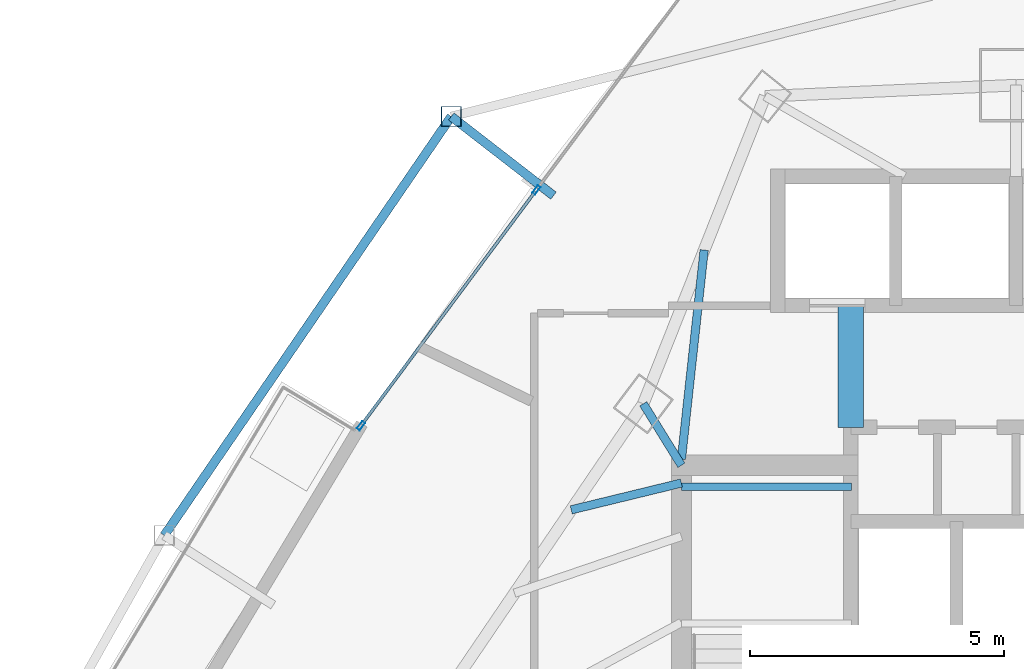
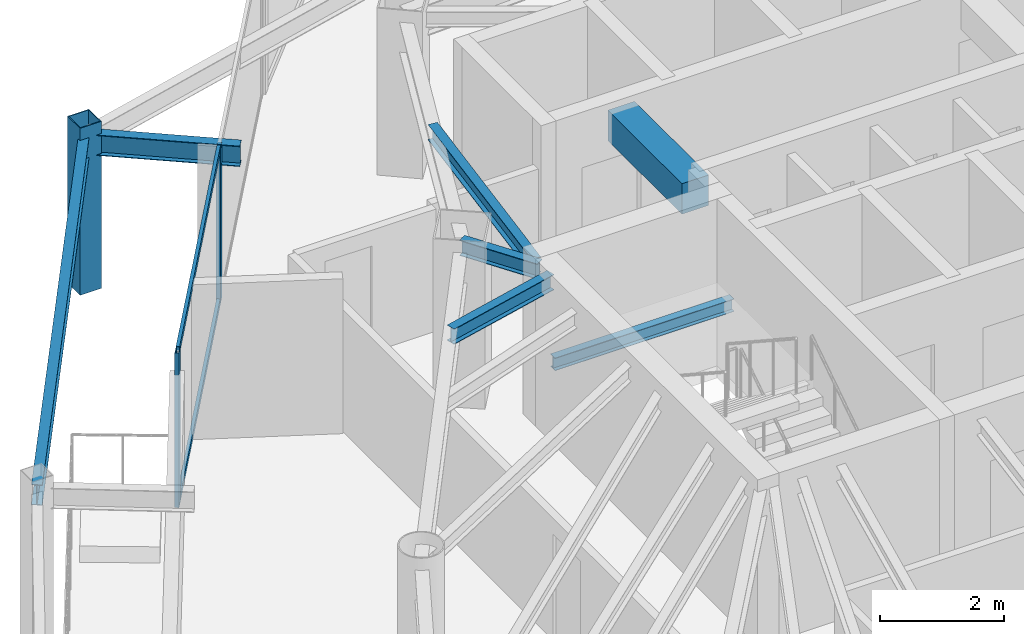
# One storey, part 17 of 31: 7 beams, 5 members, 1 element without a shape of its own.
"""IFC4 building model written with IfcOpenShell, lengths in metres."""

from ifc_helpers import new_model, si_unit, direction, frame, origin, origin_2d, place, context, subcontext, project, spatial, rectangle, hollow_rectangle, i_section, extrude, material, layer, layer_set, material_profile, profile_set, type_object, element, aggregate, save


model = new_model("IFC4")

# Units and contexts
model_context = context("Model", 3, precision=1e-05, world=origin(), true_north=direction((0.0, 1.0)))
body_context = subcontext(model_context, "Body", "Model", "MODEL_VIEW")
ifc_project = project(units=[si_unit("LENGTHUNIT", "METRE"), si_unit("AREAUNIT", "SQUARE_METRE"), si_unit("VOLUMEUNIT", "CUBIC_METRE"), si_unit("PLANEANGLEUNIT", "RADIAN"), si_unit("MASSUNIT", "GRAM", prefix="KILO")], contexts=[model_context])

# Site, building, storey
site_placement = place(None, origin())
site = spatial("IfcSite", under=ifc_project, at=site_placement, CompositionType="ELEMENT")
building_placement = place(site_placement, origin())
building = spatial("IfcBuilding", under=site, at=building_placement, Name="Orvanel Arch Residences", CompositionType="ELEMENT")
storey_placement = place(building_placement, frame((0.0, 0.0, 106.699951171875)))
storey = spatial("IfcBuildingStorey", under=building, at=storey_placement, Name="L29", CompositionType="ELEMENT", Elevation=106.699951171875)

# Beams
ifc_material_1 = material(Name="Structural steel AS/NZS 3679.1 Grade 300 (300 MPa)", Category="steel")
ifc_material_profile_1 = material_profile(ifc_material_1, i_section(OverallWidth=0.14599609375, OverallDepth=0.251953125, WebThickness=0.006103515625, FlangeThickness=0.008544921875, at=origin_2d()), Name="250UB31.4")
ifc_profile_set_1 = profile_set([ifc_material_profile_1], Name="Structural steel AS/NZS 3679.1 Grade 300 (300 MPa)")
beam_type_1 = type_object("IfcBeamType", Name="BJ-250UB", PredefinedType="JOIST", material=ifc_profile_set_1)
beam_1_placement = place(storey_placement, frame((26.39990234375, 33.47998046875, 1.323974609375), z_axis=(1.0, 0.0, 0.0), x_axis=(0.0, 1.0, 0.0)))
element("IfcBeam", 1, at=beam_1_placement, inside=storey, type_object=beam_type_1, Name="L29 ST-1 Half-Landing Support Beam 1.2", PredefinedType="JOIST", context=body_context, shape_type="SweptSolid", body=[
    extrude(i_section(OverallWidth=0.14599609375, OverallDepth=0.251953125, WebThickness=0.006103515625, FlangeThickness=0.008544921875, at=origin_2d()), origin(), (0.0, 0.0, 1.0), 3.35009765625),
])
ifc_material_profile_2 = material_profile(ifc_material_1, i_section(OverallWidth=0.1650390625, OverallDepth=0.303955078125, WebThickness=0.006103515625, FlangeThickness=0.01025390625, at=origin_2d()), Name="310UB40.4")
ifc_profile_set_2 = profile_set([ifc_material_profile_2], Name="Structural steel AS/NZS 3679.1 Grade 300 (300 MPa)")
beam_type_2 = type_object("IfcBeamType", Name="BJ-310UB", PredefinedType="JOIST", material=ifc_profile_set_2)
beam_2_placement = place(storey_placement, frame((26.39990234375, 33.89990234375, 2.907958984375), z_axis=(-0.526843290616, 0.84996243866, 0.0), x_axis=(-0.84996243866, -0.526843290616, 0.0)))
element("IfcBeam", 2, at=beam_2_placement, inside=storey, type_object=beam_type_2, Name="L29 NNW Wing Floor Joist", PredefinedType="JOIST", context=body_context, shape_type="SweptSolid", body=[
    extrude(i_section(OverallWidth=0.1650390625, OverallDepth=0.303955078125, WebThickness=0.006103515625, FlangeThickness=0.01025390625, at=origin_2d()), origin(), (0.0, 0.0, 1.0), 1.42724609375),
])
beam_3_placement = place(storey_placement, frame((26.39990234375, 34.02001953125, 2.907958984375), z_axis=(0.108261441852, 0.99412245735, 0.0), x_axis=(-0.99412245735, 0.108261441852, 0.0)))
element("IfcBeam", 3, at=beam_3_placement, inside=storey, type_object=beam_type_2, Name="L29 NNW2 Wing Floor Joist", PredefinedType="JOIST", context=body_context, shape_type="SweptSolid", body=[
    extrude(i_section(OverallWidth=0.1650390625, OverallDepth=0.303955078125, WebThickness=0.006103515625, FlangeThickness=0.01025390625, at=origin_2d()), origin(), (0.0, 0.0, 1.0), 4.1494140625),
])
beam_4_placement = place(storey_placement, frame((26.39990234375, 33.550048828125, 2.907958984375), z_axis=(-0.971638471014, -0.236471312521, 0.0), x_axis=(0.236471312521, -0.971638471014, 0.0)))
element("IfcBeam", 4, at=beam_4_placement, inside=storey, type_object=beam_type_2, Name="L29 JADD3 Wing Floor Joist", PredefinedType="JOIST", context=body_context, shape_type="SweptSolid", body=[
    extrude(i_section(OverallWidth=0.1650390625, OverallDepth=0.303955078125, WebThickness=0.006103515625, FlangeThickness=0.01025390625, at=origin_2d()), origin(), (0.0, 0.0, 1.0), 2.2373046875),
])
ifc_material_2 = material(Name="Concrete S65 (65 MPa)", Category="concrete")
ifc_material_profile_3 = material_profile(ifc_material_2, rectangle(XDim=0.5, YDim=0.60009765625, at=origin_2d()), Name="RC500x600")
ifc_profile_set_3 = profile_set([ifc_material_profile_3], Name="Concrete S65 (65 MPa)")
beam_type_3 = type_object("IfcBeamType", Name="CB-500x600", PredefinedType="LINTEL", material=ifc_profile_set_3)
beam_5_placement = place(storey_placement, frame((29.739990234375, 34.64990234375, 2.760009765625), z_axis=(0.0, 1.0, 0.0), x_axis=(-1.0, 0.0, 0.0)))
element("IfcBeam", 5, at=beam_5_placement, inside=storey, type_object=beam_type_3, Name="L29 West Core Lobby Coupling Lintel Beam", PredefinedType="LINTEL", context=body_context, shape_type="SweptSolid", body=[
    extrude(rectangle(XDim=0.5, YDim=0.60009765625, at=origin_2d()), origin(), (0.0, 0.0, 1.0), 2.400146484375),
])

# Curtain wall, members
ifc_material_3 = material(Name="Bronze-anodised aluminium AA6063-T6", Category="aluminium")
ifc_layer = layer(ifc_material_3, 0.179931640625)
ifc_layer_set = layer_set([ifc_layer], Name="Bronze-anodised aluminium AA6063-T6")
curtain_wall_type = type_object("IfcCurtainWallType", Name="CW3-MID-SYS", PredefinedType="NOTDEFINED", material=ifc_layer_set)
curtain_wall_placement = place(storey_placement, origin())
curtain_wall = element("IfcCurtainWall", 6, at=curtain_wall_placement, inside=storey, type_object=curtain_wall_type, Name="L29 CW3-MID-SYS Unitised Curtain Wall", PredefinedType="NOTDEFINED")
ifc_material_profile_4 = material_profile(ifc_material_3, hollow_rectangle(XDim=0.070068359375, YDim=0.179931640625, WallThickness=0.00439453125, at=origin_2d()), Name="ALU180x70x4.5")
ifc_profile_set_4 = profile_set([ifc_material_profile_4], Name="Bronze-anodised aluminium AA6063-T6")
member_type_1 = type_object("IfcMemberType", Name="MUL-180x70", PredefinedType="MULLION", material=ifc_profile_set_4)
member_1_placement = place(storey_placement, frame((23.5390625, 39.32958984375, 0.0), z_axis=(0.0, 0.0, 1.0), x_axis=(0.802267592094, -0.596964580755, 0.0)))
member_1 = element("IfcMember", 7, at=member_1_placement, type_object=member_type_1, Name="CW-S3 mullion 2", PredefinedType="MULLION", context=body_context, shape_type="SweptSolid", body=[
    extrude(hollow_rectangle(XDim=0.070068359375, YDim=0.179931640625, WallThickness=0.00439453125, at=origin_2d()), origin(), (0.0, 0.0, 1.0), 3.06005859375),
])
member_2_placement = place(storey_placement, frame((20.077880859375, 34.677978515625, 0.0), z_axis=(0.0, 0.0, 1.0), x_axis=(0.802267592094, -0.596964580755, 0.0)))
member_2 = element("IfcMember", 8, at=member_2_placement, type_object=member_type_1, Name="CW-S3 mullion 3", PredefinedType="MULLION", context=body_context, shape_type="SweptSolid", body=[
    extrude(hollow_rectangle(XDim=0.070068359375, YDim=0.179931640625, WallThickness=0.00439453125, at=origin_2d()), origin(), (0.0, 0.0, 1.0), 3.06005859375),
])

# Beams
ifc_material_profile_5 = material_profile(ifc_material_1, i_section(OverallWidth=0.177978515625, OverallDepth=0.406005859375, WebThickness=0.0078125, FlangeThickness=0.0126953125, at=origin_2d()), Name="410UB59.7")
ifc_profile_set_5 = profile_set([ifc_material_profile_5], Name="Structural steel AS/NZS 3679.1 Grade 300 (300 MPa)")
beam_type_4 = type_object("IfcBeamType", Name="OB-410UB-EXT", PredefinedType="SPANDREL", material=ifc_profile_set_5)
beam_6_placement = place(storey_placement, frame((23.876953125, 39.218017578125, 2.85693359375), z_axis=(-0.790469513462, 0.612501386355, 0.0), x_axis=(-0.612501386355, -0.790469513462, 0.0)))
element("IfcBeam", 9, at=beam_6_placement, inside=storey, type_object=beam_type_4, Name="L29 Outer Frame Radial Tie Beam 01", PredefinedType="SPANDREL", context=body_context, shape_type="SweptSolid", body=[
    extrude(i_section(OverallWidth=0.177978515625, OverallDepth=0.406005859375, WebThickness=0.0078125, FlangeThickness=0.0126953125, at=origin_2d()), origin(), (0.0, 0.0, 1.0), 2.55029296875),
])
beam_7_placement = place(storey_placement, frame((21.861083984375, 40.780029296875, 2.85693359375), z_axis=(-0.565130371441, -0.825001614105, 0.0), x_axis=(0.825001614105, -0.565130371441, 0.0)))
element("IfcBeam", 10, at=beam_7_placement, inside=storey, type_object=beam_type_4, Name="L29 Outer Perimeter Floor Ring Beam 01", PredefinedType="SPANDREL", context=body_context, shape_type="SweptSolid", body=[
    extrude(i_section(OverallWidth=0.177978515625, OverallDepth=0.406005859375, WebThickness=0.0078125, FlangeThickness=0.0126953125, at=origin_2d()), origin(), (0.0, 0.0, 1.0), 10.015625),
])

# Member
ifc_material_4 = material(Name="Structural steel AS/NZS 1163 C450L0 (Grade 450)", Category="steel")
ifc_material_profile_6 = material_profile(ifc_material_4, hollow_rectangle(XDim=0.39990234375, YDim=0.39990234375, WallThickness=0.01611328125, at=origin_2d()), Name="SHS400x400x16")
ifc_profile_set_6 = profile_set([ifc_material_profile_6], Name="Structural steel AS/NZS 1163 C450L0 (Grade 450)")
member_type_2 = type_object("IfcMemberType", Name="ST-400SHS-EXT", PredefinedType="STRUT", material=ifc_profile_set_6)
member_3_placement = place(storey_placement, frame((21.861083984375, 40.780029296875, 0.0), z_axis=(0.0, 0.0, 1.0), x_axis=(1.0, 0.0, 0.0)))
element("IfcMember", 11, at=member_3_placement, inside=storey, type_object=member_type_2, Name="L29 Outer Perimeter Frame Post 01", PredefinedType="STRUT", context=body_context, shape_type="SweptSolid", body=[
    extrude(hollow_rectangle(XDim=0.39990234375, YDim=0.39990234375, WallThickness=0.01611328125, at=origin_2d()), origin(), (0.0, 0.0, 1.0), 3.300048828125),
])

ifc_material_profile_7 = material_profile(ifc_material_3, hollow_rectangle(XDim=0.06005859375, YDim=0.135009765625, WallThickness=0.00390625, at=origin_2d()), Name="ALU135x60x4")
ifc_profile_set_7 = profile_set([ifc_material_profile_7], Name="Bronze-anodised aluminium AA6063-T6")
member_type_3 = type_object("IfcMemberType", Name="TRN-135x60", PredefinedType="USERDEFINED", material=ifc_profile_set_7)
member_4_placement = place(storey_placement, frame((23.51806640625, 39.301513671875, 0.030029296875), z_axis=(-0.596933576547, -0.802290661288, 0.0), x_axis=(0.802290661288, -0.596933576547, 0.0)))
member_4 = element("IfcMember", 12, at=member_4_placement, type_object=member_type_3, Name="CW-S3 transom 2.1", ObjectType="TRANSOM", PredefinedType="USERDEFINED", context=body_context, shape_type="SweptSolid", body=[
    extrude(hollow_rectangle(XDim=0.06005859375, YDim=0.135009765625, WallThickness=0.00390625, at=origin_2d()), origin(), (0.0, 0.0, 1.0), 5.72802734375),
])

member_5_placement = place(storey_placement, frame((23.51806640625, 39.301513671875, 3.030029296875), z_axis=(-0.596933576547, -0.802290661288, 0.0), x_axis=(0.802290661288, -0.596933576547, 0.0)))
member_5 = element("IfcMember", 13, at=member_5_placement, type_object=member_type_3, Name="CW-S3 transom 2.2", ObjectType="TRANSOM", PredefinedType="USERDEFINED", context=body_context, shape_type="SweptSolid", body=[
    extrude(hollow_rectangle(XDim=0.06005859375, YDim=0.135009765625, WallThickness=0.00390625, at=origin_2d()), origin(), (0.0, 0.0, 1.0), 5.72802734375),
])

aggregate(curtain_wall, [member_1, member_2, member_4, member_5])

save(model, "model.ifc")
